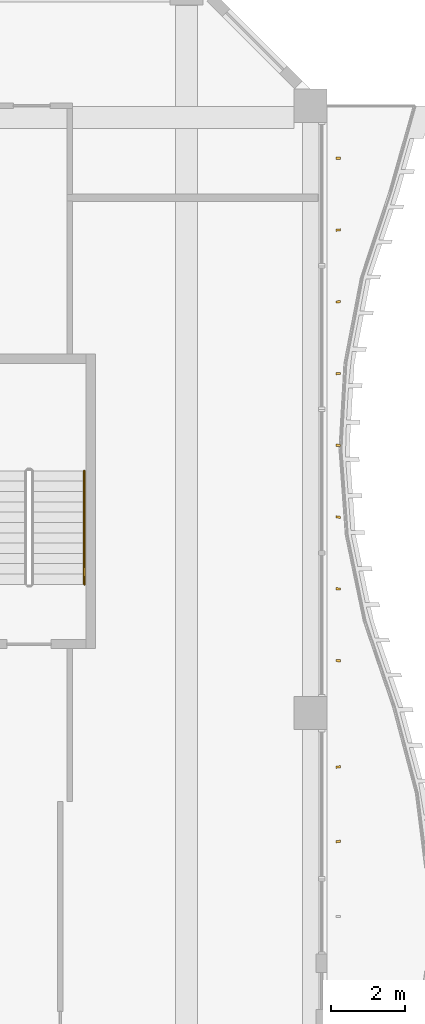
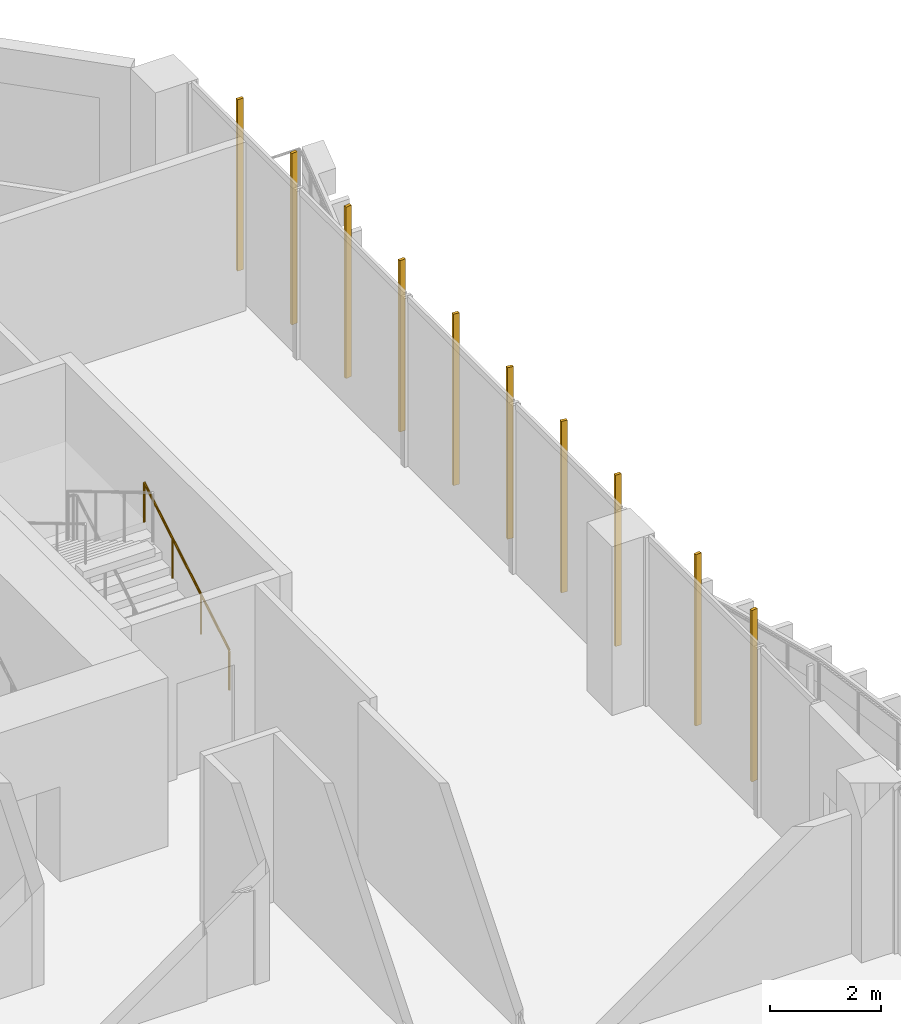
# One storey, part 27 of 27: 10 shading devices, 1 railing.
"""IFC4 building model written with IfcOpenShell, lengths in metres."""

from ifc_helpers import new_model, si_unit, direction, frame, origin, origin_2d, place, context, subcontext, project, spatial, rectangle, circle, extrude, source, transform, mapped, material, material_profile, profile_set, type_object, element, save


model = new_model("IFC4")

# Units and contexts
model_context = context("Model", 3, precision=1e-05, world=origin(), true_north=direction((0.0, 1.0)))
body_context = subcontext(model_context, "Body", "Model", "MODEL_VIEW")
ifc_project = project(units=[si_unit("LENGTHUNIT", "METRE"), si_unit("AREAUNIT", "SQUARE_METRE"), si_unit("VOLUMEUNIT", "CUBIC_METRE"), si_unit("PLANEANGLEUNIT", "RADIAN"), si_unit("MASSUNIT", "GRAM", prefix="KILO")], contexts=[model_context])

# Site, building, storey
site_placement = place(None, origin())
site = spatial("IfcSite", under=ifc_project, at=site_placement, CompositionType="ELEMENT")
building_placement = place(site_placement, origin())
building = spatial("IfcBuilding", under=site, at=building_placement, Name="Kilnfold Tower and Market Hall", CompositionType="ELEMENT")
storey_placement = place(building_placement, frame((0.0, 0.0, 51.0)))
storey = spatial("IfcBuildingStorey", under=building, at=storey_placement, Name="L11", CompositionType="ELEMENT", Elevation=51.0)

# Railing
ifc_material_1 = material(Name="Stainless steel 316", Category="steel")
railing_type = type_object("IfcRailingType", Name="CORE STAIR HANDRAIL 900", PredefinedType="HANDRAIL", material=ifc_material_1)
railing_placement = place(storey_placement, frame((21.39990234375, 11.5, 0.166748046875)))
element("IfcRailing", 1, at=railing_placement, inside=storey, type_object=railing_type, Name="L11 ST5 stair handrail 1", PredefinedType="HANDRAIL", context=body_context, shape_type="SweptSolid", body=[
    extrude(circle(Radius=0.02392578125, at=origin_2d()), frame((0.0, 0.0, 0.8759765625), z_axis=(0.0, 0.859308565015, 0.511457515432), x_axis=(-1.0, 0.0, 0.0)), (0.0, 0.0, 1.0), 3.58447265625),
    extrude(circle(Radius=0.02099609375, at=origin_2d()), origin(), (0.0, 0.0, 1.0), 0.851806640625),
    extrude(circle(Radius=0.02099609375, at=origin_2d()), frame((0.0, 1.026611328125, 0.611083984375)), (0.0, 0.0, 1.0), 0.851806640625),
    extrude(circle(Radius=0.02099609375, at=origin_2d()), frame((0.0, 2.053466796875, 1.22216796875)), (0.0, 0.0, 1.0), 0.851806640625),
    extrude(circle(Radius=0.02099609375, at=origin_2d()), frame((0.0, 3.080078125, 1.833251953125)), (0.0, 0.0, 1.0), 0.851806640625),
])

# Shading devices
ifc_material_2 = material(Name="Terracotta", Category="masonry")
ifc_material_profile = material_profile(ifc_material_2, rectangle(XDim=0.06005859375, YDim=0.1201171875, at=origin_2d()), Name="BAG 60x120")
ifc_profile_set = profile_set([ifc_material_profile], Name="Terracotta")
shading_device_type = type_object("IfcShadingDeviceType", Name="BAGUETTE", PredefinedType="USERDEFINED", material=ifc_profile_set)
shared_shape = source(origin(), body_context, "Body", "SweptSolid", [
    extrude(rectangle(XDim=0.06005859375, YDim=0.1201171875, at=origin_2d()), origin(), (0.0, 0.0, 1.0), 3.780029296875),
])
for number, where, z_axis, x_axis, name in (
    (2, (28.300048828125, 4.512451171875, 0.0), (0.0, 0.0, 1.0), (-0.124037915153, 0.992277479138, 0.0), "Terracotta baguette L11 E"),
    (3, (28.300048828125, 6.53759765625, 0.0), (0.0, 0.0, 1.0), (-0.126179923985, 0.992007372343, 0.0), "Terracotta baguette L11 E"),
    (4, (28.300048828125, 9.425048828125, 0.0), (0.0, 0.0, 1.0), (0.022505865678, 0.999746710927, 0.0), "Terracotta baguette L11 E"),
    (5, (28.300048828125, 11.375, 0.0), (0.0, 0.0, 1.0), (0.119916784455, 0.99278394669, 0.0), "Terracotta baguette L11 E"),
    (6, (28.300048828125, 13.324951171875, 0.0), (0.0, 0.0, 1.0), (0.131187175089, 0.991357617155, 0.0), "Terracotta baguette L11 E"),
    (7, (28.300048828125, 15.27490234375, 0.0), (0.0, 0.0, 1.0), (0.048410467202, 0.998827525985, 0.0), "Terracotta baguette L11 E"),
    (8, (28.300048828125, 17.22509765625, 0.0), (0.0, 0.0, 1.0), (-0.069436111853, 0.997586400454, 0.0), "Terracotta baguette L11 E"),
    (9, (28.300048828125, 19.175048828125, 0.0), (0.0, 0.0, 1.0), (-0.137067665297, 0.990561686686, 0.0), "Terracotta baguette L11 E"),
    (10, (28.300048828125, 21.125, 0.0), (0.0, 0.0, 1.0), (-0.106548680304, 0.994307487011, 0.0), "Terracotta baguette L11 E"),
    (11, (28.300048828125, 23.074951171875, 0.0), (0.0, 0.0, 1.0), (0.00067369704, 0.999999773066, 0.0), "Terracotta baguette L11 E"),
):
    element("IfcShadingDevice", number, at=place(storey_placement, frame(where, z_axis=z_axis, x_axis=x_axis)), inside=storey, type_object=shading_device_type, Name=name, ObjectType="BAGUETTE", PredefinedType="USERDEFINED", context=body_context, shape_type="MappedRepresentation", body=[
        mapped(shared_shape, transform((0.0, 0.0, 0.0))),
    ])

save(model, "model.ifc")
